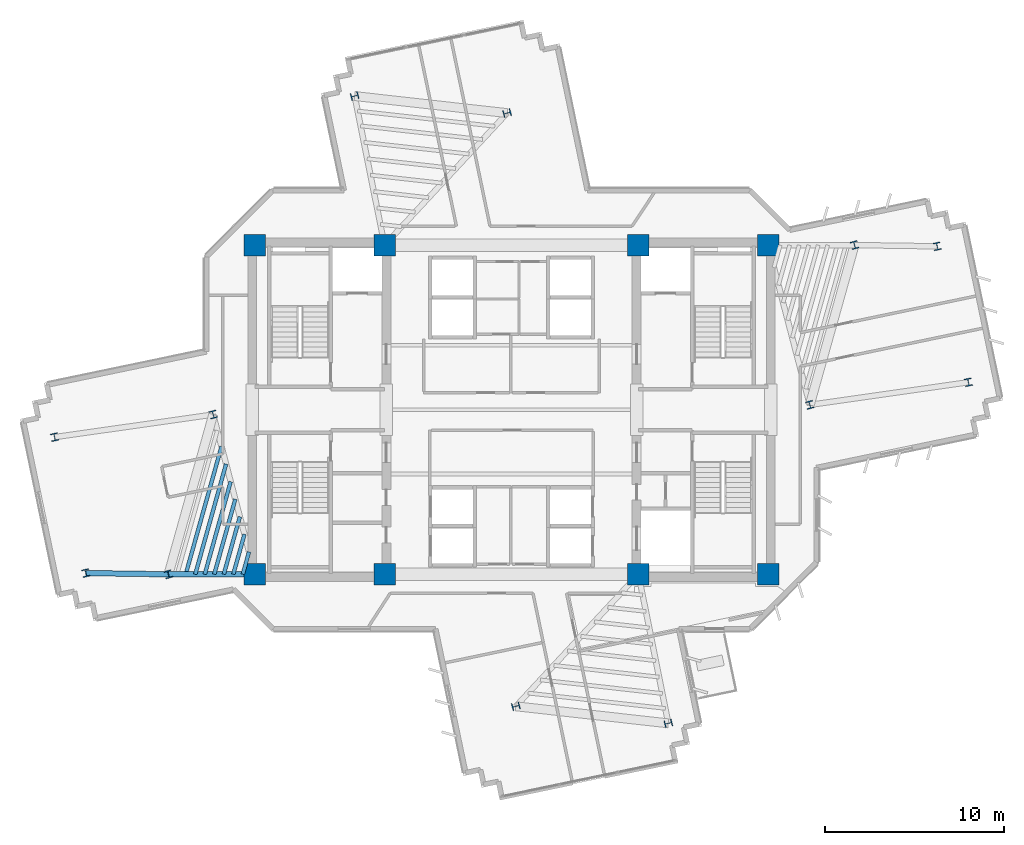
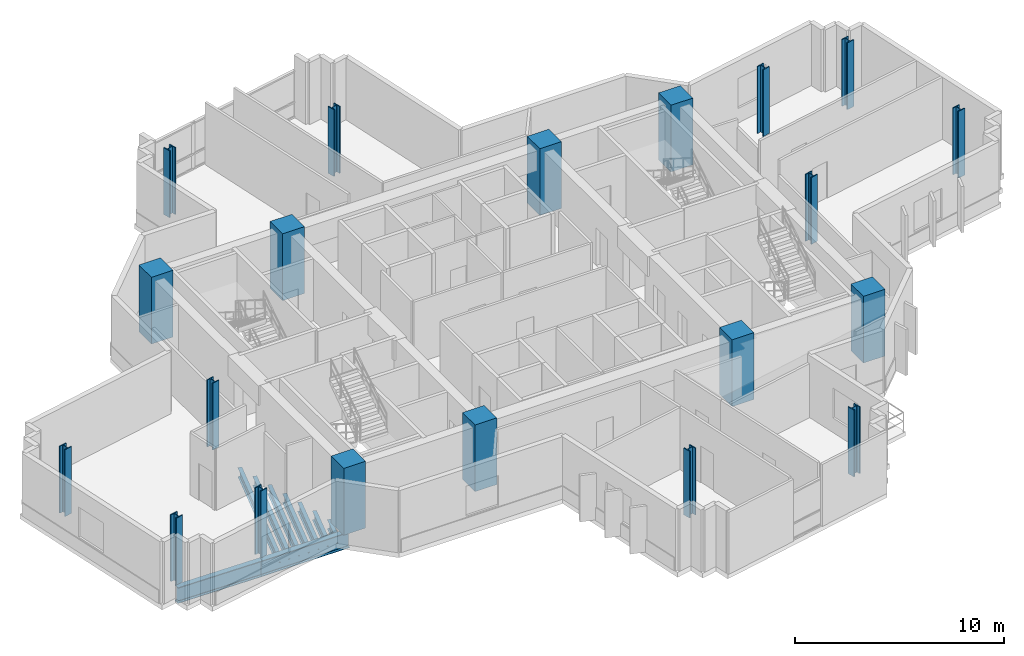
# One storey, part 1 of 14: 20 columns, 9 beams.
"""IFC4 building model written with IfcOpenShell, lengths in metres."""

from ifc_helpers import new_model, si_unit, direction, frame, origin, origin_2d, place, context, subcontext, project, spatial, rectangle, i_section, extrude, source, transform, mapped, material, material_profile, profile_set, type_object, element, save


model = new_model("IFC4")

# Units and contexts
model_context = context("Model", 3, precision=1e-05, world=origin(), true_north=direction((0.0, 1.0)))
body_context = subcontext(model_context, "Body", "Model", "MODEL_VIEW")
ifc_project = project(units=[si_unit("LENGTHUNIT", "METRE"), si_unit("AREAUNIT", "SQUARE_METRE"), si_unit("VOLUMEUNIT", "CUBIC_METRE"), si_unit("PLANEANGLEUNIT", "RADIAN"), si_unit("MASSUNIT", "GRAM", prefix="KILO")], contexts=[model_context])

# Site, building, storey
site_placement = place(None, origin())
site = spatial("IfcSite", under=ifc_project, at=site_placement, CompositionType="ELEMENT")
building_placement = place(site_placement, origin())
building = spatial("IfcBuilding", under=site, at=building_placement, Name="Zahravan Cultural Tower", CompositionType="ELEMENT")
storey_placement = place(building_placement, frame((0.0, 0.0, 166.800048828125)))
storey = spatial("IfcBuildingStorey", under=building, at=storey_placement, Name="L38", CompositionType="ELEMENT", Elevation=166.800048828125)

# Columns
ifc_material_1 = material(Name="Concrete C50/60", Category="concrete")
ifc_material_profile_1 = material_profile(ifc_material_1, rectangle(XDim=1.199951171875, YDim=1.199951171875, at=origin_2d()), Name="RC1200X1200")
ifc_profile_set_1 = profile_set([ifc_material_profile_1], Name="Concrete C50/60")
column_type_1 = type_object("IfcColumnType", Name="COL-RC1200", PredefinedType="COLUMN", material=ifc_profile_set_1)
shared_shape_1 = source(origin(), body_context, "Body", "SweptSolid", [
    extrude(rectangle(XDim=1.199951171875, YDim=1.199951171875, at=origin_2d()), origin(), (0.0, 0.0, 1.0), 3.89990234375),
])
for number, where, z_axis, x_axis, name in (
    (1, (21.64990234375, 17.800048828125, 0.0), (0.0, 0.0, 1.0), (1.0, 0.0, 0.0), "L38 Column CC-W1"),
    (2, (28.89990234375, 17.800048828125, 0.0), (0.0, 0.0, 1.0), (1.0, 0.0, 0.0), "L38 Column CC-W2"),
    (3, (21.64990234375, 36.199951171875, 0.0), (0.0, 0.0, 1.0), (1.0, 0.0, 0.0), "L38 Column CC-W3"),
    (4, (28.89990234375, 36.199951171875, 0.0), (0.0, 0.0, 1.0), (1.0, 0.0, 0.0), "L38 Column CC-W4"),
    (5, (43.10009765625, 17.800048828125, 0.0), (0.0, 0.0, 1.0), (1.0, 0.0, 0.0), "L38 Column CC-E1"),
    (6, (50.35009765625, 17.800048828125, 0.0), (0.0, 0.0, 1.0), (1.0, 0.0, 0.0), "L38 Column CC-E2"),
    (7, (43.10009765625, 36.199951171875, 0.0), (0.0, 0.0, 1.0), (1.0, 0.0, 0.0), "L38 Column CC-E3"),
    (8, (50.35009765625, 36.199951171875, 0.0), (0.0, 0.0, 1.0), (1.0, 0.0, 0.0), "L38 Column CC-E4"),
):
    element("IfcColumn", number, at=place(storey_placement, frame(where, z_axis=z_axis, x_axis=x_axis)), inside=storey, type_object=column_type_1, Name=name, PredefinedType="COLUMN", context=body_context, shape_type="MappedRepresentation", body=[
        mapped(shared_shape_1, transform((0.0, 0.0, 0.0), x_axis=(1.0, 0.0, 0.0), y_axis=(0.0, 1.0, 0.0), z_axis=(0.0, 0.0, 1.0), scale=1.0)),
    ])
ifc_material_2 = material(Name="Steel ASTM A992 Grade 50", Category="steel")
ifc_material_profile_2 = material_profile(ifc_material_2, i_section(OverallWidth=0.412109375, OverallDepth=0.43505859375, WebThickness=0.035888671875, FlangeThickness=0.057373046875, FilletRadius=0.01806640625, at=origin_2d()), Name="W14X311")
ifc_profile_set_2 = profile_set([ifc_material_profile_2], Name="Steel ASTM A992 Grade 50")
column_type_2 = type_object("IfcColumnType", Name="COL-W14X311", PredefinedType="COLUMN", material=ifc_profile_set_2)
shared_shape_2 = source(origin(), body_context, "Body", "SweptSolid", [
    extrude(i_section(OverallWidth=0.412109375, OverallDepth=0.43505859375, WebThickness=0.035888671875, FlangeThickness=0.057373046875, FilletRadius=0.01806640625, at=origin_2d()), origin(), (0.0, 0.0, 1.0), 3.89990234375),
])
for number, where, z_axis, x_axis, name in (
    (9, (52.684326171875, 27.27099609375, 0.0), (0.0, 0.0, 1.0), (0.966823388604, 0.255445757936, 0.0), "L38 Column Z2C-E1"),
    (10, (55.184814453125, 36.2060546875, 0.0), (0.0, 0.0, 1.0), (0.966823388604, 0.255445757936, 0.0), "L38 Column Z2C-E2"),
    (11, (35.754638671875, 43.587646484375, 0.0), (0.0, 0.0, 1.0), (-0.255445757936, 0.966823388604, 0.0), "L38 Column Z2C-N1"),
    (12, (27.22802734375, 44.541259765625, 0.0), (0.0, 0.0, 1.0), (-0.255445757936, 0.966823388604, 0.0), "L38 Column Z2C-N2"),
    (13, (19.315673828125, 26.72900390625, 0.0), (0.0, 0.0, 1.0), (0.966823388604, 0.255445757936, 0.0), "L38 Column Z2C-W1"),
    (14, (16.815185546875, 17.7939453125, 0.0), (0.0, 0.0, 1.0), (0.966823388604, 0.255445757936, 0.0), "L38 Column Z2C-W2"),
    (15, (36.245361328125, 10.412353515625, 0.0), (0.0, 0.0, 1.0), (-0.255445757936, 0.966823388604, 0.0), "L38 Column Z2C-S1"),
    (16, (44.77197265625, 9.458740234375, 0.0), (0.0, 0.0, 1.0), (-0.255445757936, 0.966823388604, 0.0), "L38 Column Z2C-S2"),
    (17, (61.552734375, 28.53466796875, 0.0), (0.0, 0.0, 1.0), (0.977415894286, 0.211324796455, 0.0), "L38 Column Z2T-E1"),
    (18, (59.806640625, 36.13720703125, 0.0), (0.0, 0.0, 1.0), (0.977415894286, 0.211324796455, 0.0), "L38 Column Z2T-E2"),
    (19, (10.447265625, 25.46533203125, 0.0), (0.0, 0.0, 1.0), (0.977415894286, 0.211324796455, 0.0), "L38 Column Z2T-W1"),
    (20, (12.193359375, 17.86279296875, 0.0), (0.0, 0.0, 1.0), (0.977415894286, 0.211324796455, 0.0), "L38 Column Z2T-W2"),
):
    element("IfcColumn", number, at=place(storey_placement, frame(where, z_axis=z_axis, x_axis=x_axis)), inside=storey, type_object=column_type_2, Name=name, PredefinedType="COLUMN", context=body_context, shape_type="MappedRepresentation", body=[
        mapped(shared_shape_2, transform((0.0, 0.0, 0.0), x_axis=(1.0, 0.0, 0.0), y_axis=(0.0, 1.0, 0.0), z_axis=(0.0, 0.0, 1.0), scale=1.0)),
    ])

# Beams
ifc_material_profile_3 = material_profile(ifc_material_2, i_section(OverallWidth=0.304931640625, OverallDepth=0.9189453125, WebThickness=0.017333984375, FlangeThickness=0.02783203125, FilletRadius=0.02392578125, at=origin_2d()), Name="W36X170")
ifc_profile_set_3 = profile_set([ifc_material_profile_3], Name="Steel ASTM A992 Grade 50")
beam_type_1 = type_object("IfcBeamType", Name="BM-G-W36X170", PredefinedType="BEAM", material=ifc_profile_set_3)
shared_shape_3 = source(origin(), body_context, "Body", "SweptSolid", [
    extrude(i_section(OverallWidth=0.304931640625, OverallDepth=0.9189453125, WebThickness=0.017333984375, FlangeThickness=0.02783203125, FilletRadius=0.02392578125, at=origin_2d()), origin(), (0.0, 0.0, 1.0), 4.834716796875),
])
beam_1_placement = place(storey_placement, frame((21.64990234375, 17.800048828125, -0.739501953125), z_axis=(-0.99999920313, -0.001262433979, 0.0), x_axis=(0.001262433979, -0.99999920313, 0.0)))
element("IfcBeam", 21, at=beam_1_placement, inside=storey, type_object=beam_type_1, Name="L38 Beam BG-L38-08", PredefinedType="BEAM", context=body_context, shape_type="MappedRepresentation", body=[
    mapped(shared_shape_3, transform((0.0, 0.0, 0.0), x_axis=(1.0, 0.0, 0.0), y_axis=(0.0, 1.0, 0.0), z_axis=(0.0, 0.0, 1.0), scale=1.0)),
])
shared_shape_4 = source(origin(), body_context, "Body", "SweptSolid", [
    extrude(i_section(OverallWidth=0.304931640625, OverallDepth=0.9189453125, WebThickness=0.017333984375, FlangeThickness=0.02783203125, FilletRadius=0.02392578125, at=origin_2d()), origin(), (0.0, 0.0, 1.0), 4.622314453125),
])
beam_2_placement = place(storey_placement, frame((16.815185546875, 17.7939453125, -0.739501953125), z_axis=(-0.999889070044, 0.014894549562, 0.0), x_axis=(-0.014894549562, -0.999889070044, 0.0)))
element("IfcBeam", 22, at=beam_2_placement, inside=storey, type_object=beam_type_1, Name="L38 Beam BG-L38-18", PredefinedType="BEAM", context=body_context, shape_type="MappedRepresentation", body=[
    mapped(shared_shape_4, transform((0.0, 0.0, 0.0), x_axis=(1.0, 0.0, 0.0), y_axis=(0.0, 1.0, 0.0), z_axis=(0.0, 0.0, 1.0), scale=1.0)),
])
ifc_material_profile_4 = material_profile(ifc_material_2, i_section(OverallWidth=0.2099609375, OverallDepth=0.532958984375, WebThickness=0.01025390625, FlangeThickness=0.015625, FilletRadius=0.013916015625, at=origin_2d()), Name="W21X62")
ifc_profile_set_4 = profile_set([ifc_material_profile_4], Name="Steel ASTM A992 Grade 50")
beam_type_2 = type_object("IfcBeamType", Name="BM-J-W21X62", PredefinedType="JOIST", material=ifc_profile_set_4)
shared_shape_5 = source(origin(), body_context, "Body", "SweptSolid", [
    extrude(i_section(OverallWidth=0.2099609375, OverallDepth=0.532958984375, WebThickness=0.01025390625, FlangeThickness=0.015625, FilletRadius=0.013916015625, at=origin_2d()), origin(), (0.0, 0.0, 1.0), 1.299072265625),
])
beam_3_placement = place(storey_placement, frame((21.3232421875, 19.050048828125, -0.546630859375), z_axis=(-0.269504444708, -0.962999145525, 0.0), x_axis=(0.962999145525, -0.269504444708, 0.0)))
element("IfcBeam", 23, at=beam_3_placement, inside=storey, type_object=beam_type_2, Name="L38 Beam BJ-L38-26", PredefinedType="JOIST", context=body_context, shape_type="MappedRepresentation", body=[
    mapped(shared_shape_5, transform((0.0, 0.0, 0.0), x_axis=(1.0, 0.0, 0.0), y_axis=(0.0, 1.0, 0.0), z_axis=(0.0, 0.0, 1.0), scale=1.0)),
])
shared_shape_6 = source(origin(), body_context, "Body", "SweptSolid", [
    extrude(i_section(OverallWidth=0.2099609375, OverallDepth=0.532958984375, WebThickness=0.01025390625, FlangeThickness=0.015625, FilletRadius=0.013916015625, at=origin_2d()), origin(), (0.0, 0.0, 1.0), 2.3193359375),
])
beam_4_placement = place(storey_placement, frame((21.06640625, 20.0322265625, -0.546630859375), z_axis=(-0.269462038626, -0.963011012263, 0.0), x_axis=(0.963011012263, -0.269462038626, 0.0)))
element("IfcBeam", 24, at=beam_4_placement, inside=storey, type_object=beam_type_2, Name="L38 Beam BJ-L38-27", PredefinedType="JOIST", context=body_context, shape_type="MappedRepresentation", body=[
    mapped(shared_shape_6, transform((0.0, 0.0, 0.0), x_axis=(1.0, 0.0, 0.0), y_axis=(0.0, 1.0, 0.0), z_axis=(0.0, 0.0, 1.0), scale=1.0)),
])
shared_shape_7 = source(origin(), body_context, "Body", "SweptSolid", [
    extrude(i_section(OverallWidth=0.2099609375, OverallDepth=0.532958984375, WebThickness=0.01025390625, FlangeThickness=0.015625, FilletRadius=0.013916015625, at=origin_2d()), origin(), (0.0, 0.0, 1.0), 3.340087890625),
])
beam_5_placement = place(storey_placement, frame((20.809814453125, 21.014404296875, -0.546630859375), z_axis=(-0.269562146951, -0.962982995141, 0.0), x_axis=(0.962982995141, -0.269562146951, 0.0)))
element("IfcBeam", 25, at=beam_5_placement, inside=storey, type_object=beam_type_2, Name="L38 Beam BJ-L38-28", PredefinedType="JOIST", context=body_context, shape_type="MappedRepresentation", body=[
    mapped(shared_shape_7, transform((0.0, 0.0, 0.0), x_axis=(1.0, 0.0, 0.0), y_axis=(0.0, 1.0, 0.0), z_axis=(0.0, 0.0, 1.0), scale=1.0)),
])
shared_shape_8 = source(origin(), body_context, "Body", "SweptSolid", [
    extrude(i_section(OverallWidth=0.2099609375, OverallDepth=0.532958984375, WebThickness=0.01025390625, FlangeThickness=0.015625, FilletRadius=0.013916015625, at=origin_2d()), origin(), (0.0, 0.0, 1.0), 4.36083984375),
])
beam_6_placement = place(storey_placement, frame((20.552978515625, 21.99658203125, -0.546630859375), z_axis=(-0.269511557673, -0.962997154866, 0.0), x_axis=(0.962997154866, -0.269511557673, 0.0)))
element("IfcBeam", 26, at=beam_6_placement, inside=storey, type_object=beam_type_2, Name="L38 Beam BJ-L38-29", PredefinedType="JOIST", context=body_context, shape_type="MappedRepresentation", body=[
    mapped(shared_shape_8, transform((0.0, 0.0, 0.0), x_axis=(1.0, 0.0, 0.0), y_axis=(0.0, 1.0, 0.0), z_axis=(0.0, 0.0, 1.0), scale=1.0)),
])
shared_shape_9 = source(origin(), body_context, "Body", "SweptSolid", [
    extrude(i_section(OverallWidth=0.2099609375, OverallDepth=0.532958984375, WebThickness=0.01025390625, FlangeThickness=0.015625, FilletRadius=0.013916015625, at=origin_2d()), origin(), (0.0, 0.0, 1.0), 5.3818359375),
])
beam_7_placement = place(storey_placement, frame((20.296142578125, 22.97900390625, -0.546630859375), z_axis=(-0.269510454638, -0.962997463569, 0.0), x_axis=(0.962997463569, -0.269510454638, 0.0)))
element("IfcBeam", 27, at=beam_7_placement, inside=storey, type_object=beam_type_2, Name="L38 Beam BJ-L38-30", PredefinedType="JOIST", context=body_context, shape_type="MappedRepresentation", body=[
    mapped(shared_shape_9, transform((0.0, 0.0, 0.0), x_axis=(1.0, 0.0, 0.0), y_axis=(0.0, 1.0, 0.0), z_axis=(0.0, 0.0, 1.0), scale=1.0)),
])
shared_shape_10 = source(origin(), body_context, "Body", "SweptSolid", [
    extrude(i_section(OverallWidth=0.2099609375, OverallDepth=0.532958984375, WebThickness=0.01025390625, FlangeThickness=0.015625, FilletRadius=0.013916015625, at=origin_2d()), origin(), (0.0, 0.0, 1.0), 6.402099609375),
])
beam_8_placement = place(storey_placement, frame((20.039306640625, 23.961181640625, -0.546630859375), z_axis=(-0.269494133533, -0.963002031146, 0.0), x_axis=(0.963002031146, -0.269494133533, 0.0)))
element("IfcBeam", 28, at=beam_8_placement, inside=storey, type_object=beam_type_2, Name="L38 Beam BJ-L38-31", PredefinedType="JOIST", context=body_context, shape_type="MappedRepresentation", body=[
    mapped(shared_shape_10, transform((0.0, 0.0, 0.0), x_axis=(1.0, 0.0, 0.0), y_axis=(0.0, 1.0, 0.0), z_axis=(0.0, 0.0, 1.0), scale=1.0)),
])
shared_shape_11 = source(origin(), body_context, "Body", "SweptSolid", [
    extrude(i_section(OverallWidth=0.2099609375, OverallDepth=0.532958984375, WebThickness=0.01025390625, FlangeThickness=0.015625, FilletRadius=0.013916015625, at=origin_2d()), origin(), (0.0, 0.0, 1.0), 7.4228515625),
])
beam_9_placement = place(storey_placement, frame((19.78271484375, 24.943359375, -0.546630859375), z_axis=(-0.269504266128, -0.962999195503, 0.0), x_axis=(0.962999195503, -0.269504266128, 0.0)))
element("IfcBeam", 29, at=beam_9_placement, inside=storey, type_object=beam_type_2, Name="L38 Beam BJ-L38-32", PredefinedType="JOIST", context=body_context, shape_type="MappedRepresentation", body=[
    mapped(shared_shape_11, transform((0.0, 0.0, 0.0), x_axis=(1.0, 0.0, 0.0), y_axis=(0.0, 1.0, 0.0), z_axis=(0.0, 0.0, 1.0), scale=1.0)),
])

save(model, "model.ifc")
